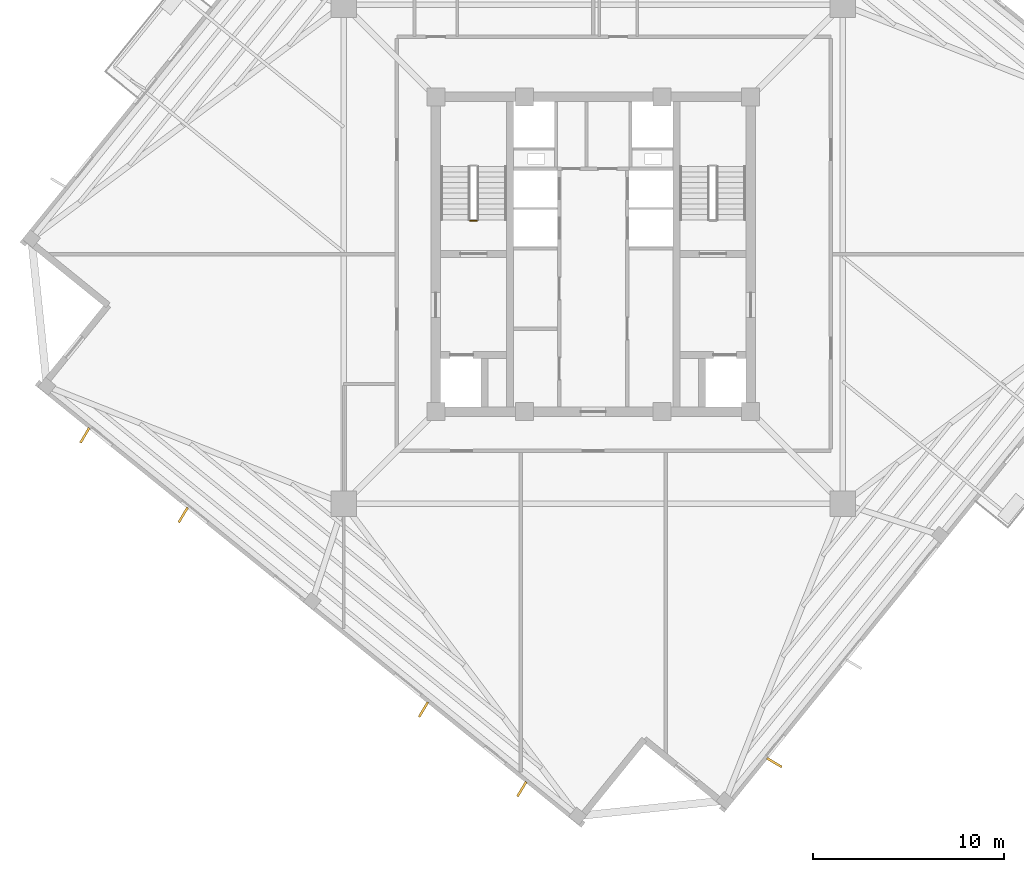
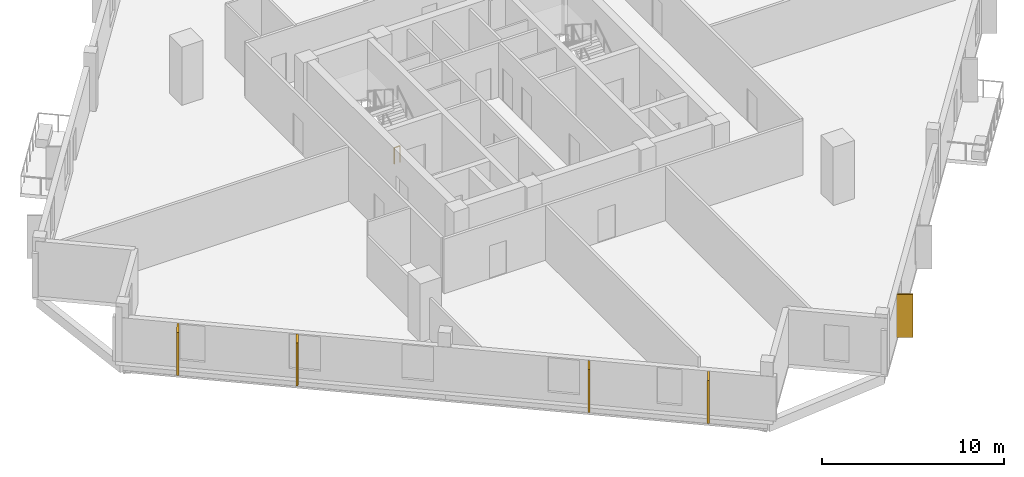
# One storey, part 6 of 9: 5 coverings, 1 railing.
"""IFC4 building model written with IfcOpenShell, lengths in metres."""

from ifc_helpers import new_model, si_unit, direction, frame, origin, origin_2d, place, context, subcontext, project, spatial, rectangle, circle, extrude, source, transform, mapped, material, layer, layer_set, type_object, element, save


model = new_model("IFC4")

# Units and contexts
model_context = context("Model", 3, precision=1e-05, world=origin(), true_north=direction((0.0, 1.0)))
body_context = subcontext(model_context, "Body", "Model", "MODEL_VIEW")
ifc_project = project(units=[si_unit("LENGTHUNIT", "METRE"), si_unit("AREAUNIT", "SQUARE_METRE"), si_unit("VOLUMEUNIT", "CUBIC_METRE"), si_unit("PLANEANGLEUNIT", "RADIAN"), si_unit("MASSUNIT", "GRAM", prefix="KILO"), si_unit("THERMODYNAMICTEMPERATUREUNIT", "KELVIN")], contexts=[model_context])

# Site, building, storey
site_placement = place(None, origin())
site = spatial("IfcSite", under=ifc_project, at=site_placement, CompositionType="ELEMENT")
building_placement = place(site_placement, origin())
building = spatial("IfcBuilding", under=site, at=building_placement, Name="Kosmvard Interchange Tower", CompositionType="ELEMENT")
storey_placement = place(building_placement, frame((0.0, 0.0, 244.60009765625)))
storey = spatial("IfcBuildingStorey", under=building, at=storey_placement, Name="L59", CompositionType="ELEMENT", Elevation=244.60009765625)

# Coverings
ifc_material_1 = material(Name="Architectural anodised aluminium", Category="aluminium")
ifc_layer = layer(ifc_material_1, 0.1201171875, Name="Architectural anodised aluminium")
ifc_layer_set = layer_set([ifc_layer], Name="Architectural anodised aluminium")
covering_type = type_object("IfcCoveringType", Name="Rotating Vertical Sun-Breaker Fin 900x120 Aluminium", PredefinedType="CLADDING", material=ifc_layer_set)
shared_shape_1 = source(origin(), body_context, "Body", "SweptSolid", [
    extrude(rectangle(XDim=0.89990234375, YDim=0.1201171875, at=origin_2d()), origin(), (0.0, 0.0, 1.0), 2.8798828125),
])
for number, where, z_axis, x_axis, name in (
    (1, (9.494384765625, -26.650146484375, 0.0400390625), (0.0, 0.0, 1.0), (0.860208488223, -0.509942503415, 0.0), "L59 Rotating Vertical Sun-Breaker Fin 01"),
    (2, (-26.650146484375, -9.494384765625, 0.0400390625), (0.0, 0.0, 1.0), (-0.509942503415, -0.860208488223, 0.0), "L59 Rotating Vertical Sun-Breaker Fin 13"),
    (3, (-21.49658203125, -13.66748046875, 0.0400390625), (0.0, 0.0, 1.0), (-0.509942503415, -0.860208488223, 0.0), "L59 Rotating Vertical Sun-Breaker Fin 14"),
    (4, (-8.8994140625, -23.86865234375, 0.0400390625), (0.0, 0.0, 1.0), (-0.509942503415, -0.860208488223, 0.0), "L59 Rotating Vertical Sun-Breaker Fin 15"),
    (5, (-3.74609375, -28.041748046875, 0.0400390625), (0.0, 0.0, 1.0), (-0.509942503415, -0.860208488223, 0.0), "L59 Rotating Vertical Sun-Breaker Fin 16"),
):
    element("IfcCovering", number, at=place(storey_placement, frame(where, z_axis=z_axis, x_axis=x_axis)), inside=storey, type_object=covering_type, Name=name, PredefinedType="CLADDING", context=body_context, shape_type="MappedRepresentation", body=[
        mapped(shared_shape_1, transform((0.0, 0.0, 0.0), scale=1.0)),
    ])

# Railing
ifc_material_2 = material(Name="Steel S355", Category="steel")
railing_type = type_object("IfcRailingType", Name="Stair & Terrace Safety Guardrail 1100 Steel", PredefinedType="GUARDRAIL", material=ifc_material_2)
shared_shape_2 = source(origin(), body_context, "Body", "SweptSolid", [
    extrude(circle(Radius=0.02392578125, at=origin_2d()), frame((0.0, 0.0, 1.076171875), z_axis=(-1.0, 0.0, 0.0), x_axis=(0.0, -1.0, 0.0)), (0.0, 0.0, 1.0), 0.35986328125),
    extrude(circle(Radius=0.02099609375, at=origin_2d()), origin(), (0.0, 0.0, 1.0), 1.052001953125),
    extrude(circle(Radius=0.02099609375, at=origin_2d()), frame((-0.35986328125, 0.0, 0.0)), (0.0, 0.0, 1.0), 1.052001953125),
])
railing_placement = place(storey_placement, frame((-6.090087890625, 1.75, 0.0)))
element("IfcRailing", 6, at=railing_placement, inside=storey, type_object=railing_type, Name="L59 ST-1 stair guard 4", PredefinedType="GUARDRAIL", context=body_context, shape_type="MappedRepresentation", body=[
    mapped(shared_shape_2, transform((0.0, 0.0, 0.0), scale=1.0)),
])

save(model, "model.ifc")
